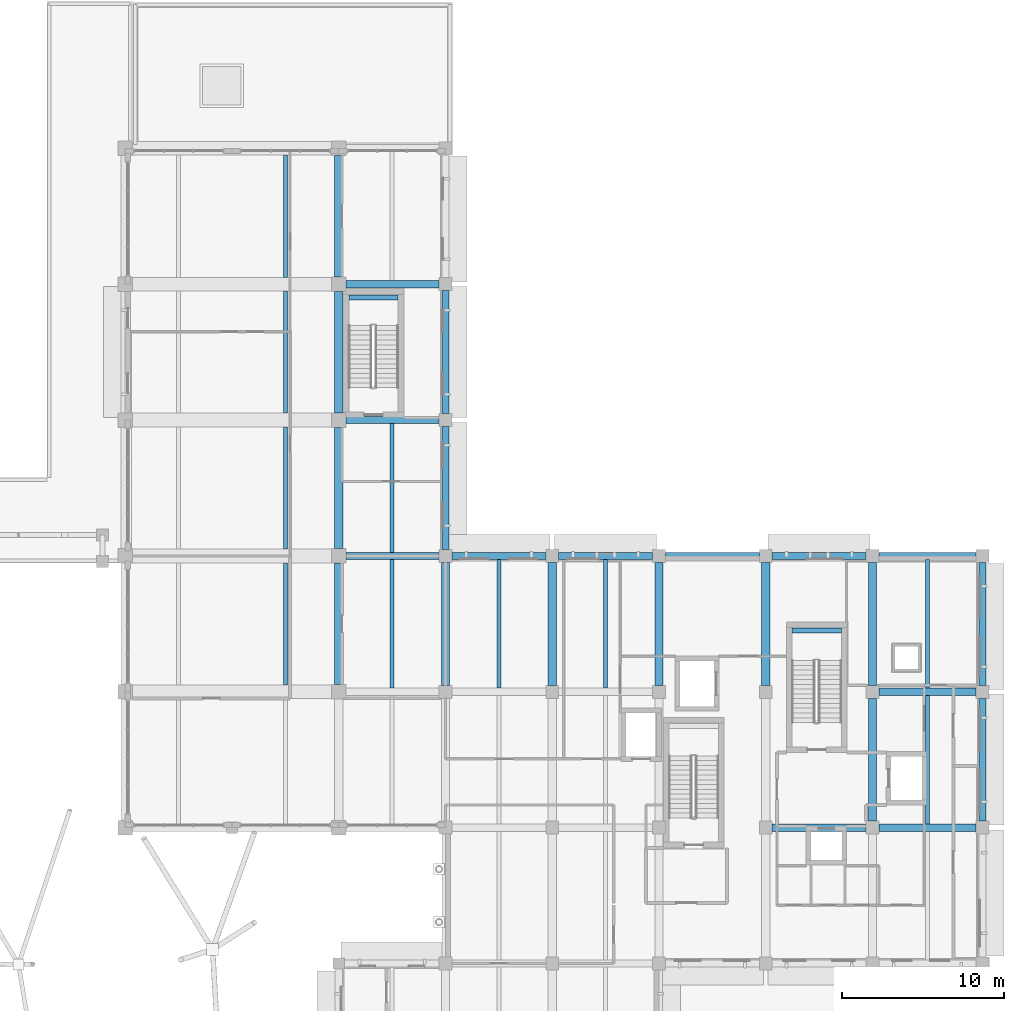
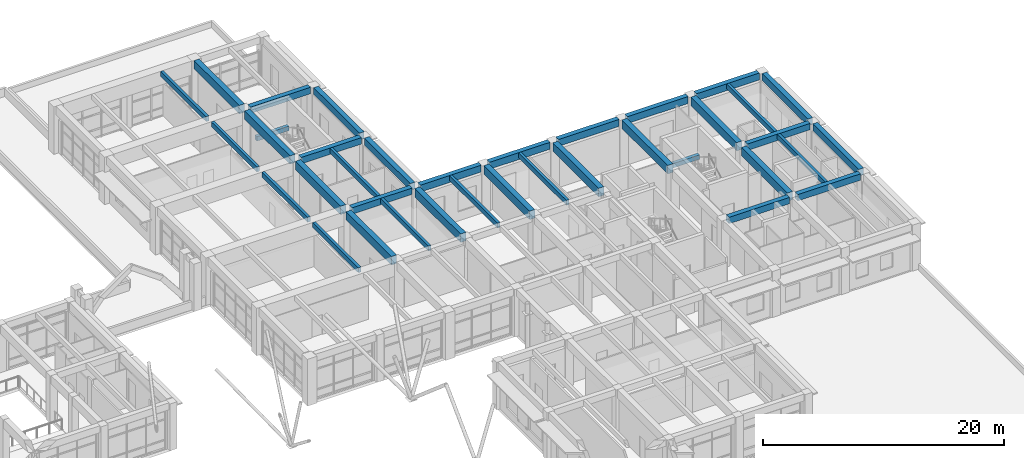
# One storey, part 29 of 75: 37 beams.
"""IFC4 building model written with IfcOpenShell, lengths in metres."""

import ifcopenshell
import ifcopenshell.guid

model = None  # the IFC model being written
_history = None  # IfcOwnerHistory: only IFC2X3 demands one
_inside = {}  # id of a spatial element -> (the spatial element, [elements in it])
_under = {}  # id of a project, library or spatial element -> (it, [spatial elements below it])
_declared = {}  # id of a project -> (the project, [libraries it declares])
_typed = {}  # id of a type object -> (the type object, [elements of that type])
_made_of = {}  # id of a material, layer set ... -> (it, [elements and type objects made of it])


def new_model(schema):
    """Start an empty IFC model of exactly this schema.

    Asked for "IFC4X3", IfcOpenShell would pick the latest addendum, in which some entities
    have other attributes; the version numbers below select the first issue.
    IFC2X3 requires an IfcOwnerHistory on every rooted entity: one is made here for all.
    """
    global model, _history
    if schema == "IFC4X3":
        model = ifcopenshell.file(schema_version=(4, 3, 0, 0))
    else:
        model = ifcopenshell.file(schema=schema)
    _inside.clear()
    _under.clear()
    _declared.clear()
    _typed.clear()
    _made_of.clear()
    _history = None
    if model.schema == "IFC2X3":
        org = make("IfcOrganization", Name="unknown")
        user = make(
            "IfcPersonAndOrganization",
            ThePerson=make("IfcPerson", FamilyName="unknown"),
            TheOrganization=org,
        )
        app = make(
            "IfcApplication",
            ApplicationDeveloper=org,
            Version="unknown",
            ApplicationFullName="unknown",
            ApplicationIdentifier="unknown",
        )
        _history = make(
            "IfcOwnerHistory",
            OwningUser=user,
            OwningApplication=app,
            ChangeAction="ADDED",
            CreationDate=0,
        )
    return model


def make(cls, **values):
    """One entity of the class cls with the attributes given. An attribute that is None is left unset."""
    return model.create_entity(
        cls, **{name: value for name, value in values.items() if value is not None}
    )


def rooted(cls, **values):
    """An entity with a GlobalId (a new one), such as an element, a storey or a relation."""
    return make(cls, GlobalId=ifcopenshell.guid.new(), OwnerHistory=_history, **values)


def si_unit(unit_type, name, prefix=None):
    """IfcSIUnit, for example si_unit("LENGTHUNIT", "METRE", prefix="MILLI")."""
    return make("IfcSIUnit", UnitType=unit_type, Prefix=prefix, Name=name)


def assignment(units):
    """IfcUnitAssignment: the units of a project."""
    return None if units is None else make("IfcUnitAssignment", Units=units)


def point(xyz):
    """IfcCartesianPoint."""
    return None if xyz is None else make("IfcCartesianPoint", Coordinates=xyz)


def direction(xyz):
    """IfcDirection."""
    return None if xyz is None else make("IfcDirection", DirectionRatios=xyz)


def frame(location, z_axis=None, x_axis=None):
    """IfcAxis2Placement3D, a coordinate frame: its origin and axes. An axis left out is left unset."""
    return make(
        "IfcAxis2Placement3D",
        Location=point(location),
        Axis=direction(z_axis),
        RefDirection=direction(x_axis),
    )


def frame_2d(location, x_axis=None):
    """IfcAxis2Placement2D, a coordinate frame in the plane: its origin and x axis."""
    return make(
        "IfcAxis2Placement2D", Location=point(location), RefDirection=direction(x_axis)
    )


def origin():
    """The frame at (0, 0, 0) with its axes left unset."""
    return frame((0.0, 0.0, 0.0))


def origin_2d():
    """The frame at (0, 0) in the plane with its x axis left unset."""
    return frame_2d((0.0, 0.0))


def place(relative_to, where):
    """IfcLocalPlacement: puts the frame where relative to a parent placement (None: the world)."""
    return make(
        "IfcLocalPlacement", PlacementRelTo=relative_to, RelativePlacement=where
    )


def context(
    kind, dimensions, precision=None, world=None, true_north=None, identifier=None
):
    """IfcGeometricRepresentationContext, for example the 3D "Model" context."""
    return make(
        "IfcGeometricRepresentationContext",
        ContextIdentifier=identifier,
        ContextType=kind,
        CoordinateSpaceDimension=dimensions,
        Precision=precision,
        WorldCoordinateSystem=world,
        TrueNorth=true_north,
    )


def subcontext(parent, identifier, kind, view, scale=None):
    """IfcGeometricRepresentationSubContext, for example "Body" below "Model"."""
    return make(
        "IfcGeometricRepresentationSubContext",
        ContextIdentifier=identifier,
        ContextType=kind,
        ParentContext=parent,
        TargetScale=scale,
        TargetView=view,
    )


def project(units=None, contexts=None):
    """IfcProject with its units and contexts."""
    return rooted(
        "IfcProject",
        Name="project",
        RepresentationContexts=contexts,
        UnitsInContext=assignment(units),
    )


def spatial(cls, under=None, at=None, **own):
    """A site, building, storey or space (cls), placed at a placement, below another one or the project."""
    s = rooted(cls, ObjectPlacement=at, **own)
    if under is not None:
        _under.setdefault(under.id(), (under, []))[1].append(s)
    return s


def profile(cls, at=None, kind="AREA", **sizes):
    """A parametric profile (cls). Its sizes go by their IFC names, for example OverallWidth=200.0."""
    return make(cls, ProfileType=kind, Position=at, **sizes)


def rectangle(**sizes):
    """IfcRectangleProfileDef."""
    return profile("IfcRectangleProfileDef", **sizes)


def extrude(swept, where, along, depth):
    """IfcExtrudedAreaSolid: the profile swept, set in the frame where, extruded along a direction by depth."""
    return make(
        "IfcExtrudedAreaSolid",
        SweptArea=swept,
        Position=where,
        ExtrudedDirection=direction(along),
        Depth=depth,
    )


def shape(context_of_items, identifier, shape_type, items):
    """IfcShapeRepresentation: the items that make up one representation, for example the "Body"."""
    return make(
        "IfcShapeRepresentation",
        ContextOfItems=context_of_items,
        RepresentationIdentifier=identifier,
        RepresentationType=shape_type,
        Items=items,
    )


def material(Name=None, Category=None):
    """IfcMaterial."""
    return make("IfcMaterial", Name=Name, Category=Category)


def material_profile(
    of_material, cross_section, Name=None, Category=None, Priority=None
):
    """IfcMaterialProfile: a cross section and its material."""
    return make(
        "IfcMaterialProfile",
        Name=Name,
        Material=of_material,
        Profile=cross_section,
        Priority=Priority,
        Category=Category,
    )


def profile_set(profiles, Name=None, composite=None):
    """IfcMaterialProfileSet."""
    return make(
        "IfcMaterialProfileSet",
        Name=Name,
        MaterialProfiles=profiles,
        CompositeProfile=composite,
    )


def made_of(thing, what):
    """Note that an element or type object is made of a material, layer set ...; save() writes the relation."""
    if what is not None:
        _made_of.setdefault(what.id(), (what, []))[1].append(thing)
    return thing


def type_object(cls, material=None, **own):
    """A type object (cls), such as IfcWallType, which elements share."""
    return made_of(rooted(cls, **own), material)


def element(
    cls,
    number,
    at=None,
    inside=None,
    cuts=None,
    type_object=None,
    material=None,
    context=None,
    identifier="Body",
    shape_type=None,
    held_by="IfcProductDefinitionShape",
    body=None,
    shapes=None,
    **own,
):
    """One element of the class cls, such as IfcWall. Its Tag is "e" and its number.

    at: its placement. inside: the storey or other place that contains it. cuts: it is an
    opening in that element (IfcRelVoidsElement). A single representation is given by context,
    identifier, shape_type and body (its items); several are given by shapes. held_by: the class
    of the entity that holds the representations. save() writes the other relations.
    """
    e = rooted(cls, Tag="e%d" % number, ObjectPlacement=at, **own)
    if body is not None:
        shapes = [shape(context, identifier, shape_type, body)]
    if shapes is not None:
        e.Representation = make(held_by, Representations=shapes)
    if inside is not None:
        _inside.setdefault(inside.id(), (inside, []))[1].append(e)
    if cuts is not None:
        rooted(
            "IfcRelVoidsElement", RelatingBuildingElement=cuts, RelatedOpeningElement=e
        )
    if type_object is not None:
        _typed.setdefault(type_object.id(), (type_object, []))[1].append(e)
    return made_of(e, material)


def aggregate(whole, parts):
    """IfcRelAggregates: a whole, such as a stair, and the parts it consists of."""
    return rooted("IfcRelAggregates", RelatingObject=whole, RelatedObjects=parts)


def save(model, path):
    """Write the relations noted so far, then the file.

    IfcRelAggregates (storeys below a building ...), IfcRelContainedInSpatialStructure (elements
    in a storey), IfcRelDefinesByType, IfcRelAssociatesMaterial and IfcRelDeclares: one each for
    every whole, place, type object, material and project.
    """
    for whole, parts in _under.values():
        aggregate(whole, parts)
    for where, things in _inside.values():
        rooted(
            "IfcRelContainedInSpatialStructure",
            RelatedElements=things,
            RelatingStructure=where,
        )
    for kind, things in _typed.values():
        rooted("IfcRelDefinesByType", RelatedObjects=things, RelatingType=kind)
    for what, things in _made_of.values():
        rooted("IfcRelAssociatesMaterial", RelatedObjects=things, RelatingMaterial=what)
    for by, libraries in _declared.values():
        rooted("IfcRelDeclares", RelatingContext=by, RelatedDefinitions=libraries)
    model.write(path)


model = new_model("IFC4")

# Units and contexts
model_context = context("Model", 3, precision=1e-05, world=origin(), true_north=direction((0.0, 1.0)))
body_context = subcontext(model_context, "Body", "Model", "MODEL_VIEW")
ifc_project = project(units=[si_unit("LENGTHUNIT", "METRE"), si_unit("AREAUNIT", "SQUARE_METRE"), si_unit("VOLUMEUNIT", "CUBIC_METRE"), si_unit("PLANEANGLEUNIT", "RADIAN"), si_unit("MASSUNIT", "GRAM", prefix="KILO")], contexts=[model_context])

# Site, building, storey
site_placement = place(None, origin())
site = spatial("IfcSite", under=ifc_project, at=site_placement, CompositionType="ELEMENT")
building_placement = place(site_placement, origin())
building = spatial("IfcBuilding", under=site, at=building_placement, Name="Kolvaren Faculty of Natural Sciences", CompositionType="ELEMENT")
storey_placement = place(building_placement, frame((0.0, 0.0, 5.39990234375)))
storey = spatial("IfcBuildingStorey", under=building, at=storey_placement, Name="L01", CompositionType="ELEMENT", Elevation=5.39990234375)

# Beams
ifc_material_1 = material(Name="Concrete C40/50", Category="concrete")
ifc_material_profile_1 = material_profile(ifc_material_1, rectangle(XDim=0.300048828125, YDim=0.449951171875, at=origin_2d()), Name="RC LNT 300x450")
ifc_profile_set_1 = profile_set([ifc_material_profile_1], Name="Concrete C40/50")
beam_type_1 = type_object("IfcBeamType", Name="CoreCouplingLintel_300x450", PredefinedType="LINTEL", material=ifc_profile_set_1)
beam_1_placement = place(storey_placement, frame((160.22509765625, 79.580078125, 1.97509765625), z_axis=(1.0, 0.0, 0.0), x_axis=(0.0, 1.0, 0.0)))
element("IfcBeam", 1, at=beam_1_placement, inside=storey, type_object=beam_type_1, Name="L01 ST-1 half-landing support lintel", PredefinedType="LINTEL", context=body_context, shape_type="SweptSolid", body=[
    extrude(rectangle(XDim=0.300048828125, YDim=0.449951171875, at=origin_2d()), origin(), (0.0, 0.0, 1.0), 3.0498046875),
])
beam_2_placement = place(storey_placement, frame((132.824951171875, 100.179931640625, 1.97509765625), z_axis=(1.0, 0.0, 0.0), x_axis=(0.0, 1.0, 0.0)))
element("IfcBeam", 2, at=beam_2_placement, inside=storey, type_object=beam_type_1, Name="L01 ST-7 half-landing support lintel", PredefinedType="LINTEL", context=body_context, shape_type="SweptSolid", body=[
    extrude(rectangle(XDim=0.300048828125, YDim=0.449951171875, at=origin_2d()), origin(), (0.0, 0.0, 1.0), 3.050048828125),
])
ifc_material_2 = material(Name="Concrete C35/45", Category="concrete")
ifc_material_profile_2 = material_profile(ifc_material_2, rectangle(XDim=0.449951171875, YDim=0.64990234375, at=origin_2d()), Name="RC BM 450x650")
ifc_profile_set_2 = profile_set([ifc_material_profile_2], Name="Concrete C35/45")
beam_type_2 = type_object("IfcBeamType", Name="GridBeam_450x650", PredefinedType="BEAM", material=ifc_profile_set_2)
beam_3_placement = place(storey_placement, frame((159.0, 67.39990234375, 4.47509765625), z_axis=(1.0, 0.0, 0.0), x_axis=(0.0, 1.0, 0.0)))
element("IfcBeam", 3, at=beam_3_placement, inside=storey, type_object=beam_type_2, Name="L01 beam BM-65 on grid J", PredefinedType="BEAM", context=body_context, shape_type="SweptSolid", body=[
    extrude(rectangle(XDim=0.449951171875, YDim=0.64990234375, at=origin_2d()), origin(), (0.0, 0.0, 1.0), 5.800048828125),
])
for number, where, z_axis, x_axis, name in (
    (4, (165.60009765625, 67.39990234375, 4.47509765625), (1.0, 0.0, 0.0), (0.0, 1.0, 0.0), "L01 beam BM-65 on grid J"),
    (5, (165.60009765625, 75.800048828125, 4.47509765625), (1.0, 0.0, 0.0), (0.0, 1.0, 0.0), "L01 beam BM-65 on grid K"),
):
    element("IfcBeam", number, at=place(storey_placement, frame(where, z_axis=z_axis, x_axis=x_axis)), inside=storey, type_object=beam_type_2, Name=name, PredefinedType="BEAM", context=body_context, shape_type="SweptSolid", body=[
        extrude(rectangle(XDim=0.449951171875, YDim=0.64990234375, at=origin_2d()), origin(), (0.0, 0.0, 1.0), 6.0),
    ])
for number, where, z_axis, x_axis, name in (
    (6, (132.64990234375, 84.199951171875, 4.47509765625), (1.0, 0.0, 0.0), (0.0, 1.0, 0.0), "L01 beam BM-65 on grid L"),
    (7, (132.64990234375, 92.60009765625, 4.47509765625), (1.0, 0.0, 0.0), (0.0, 1.0, 0.0), "L01 beam BM-65 on grid M"),
    (8, (132.64990234375, 101.0, 4.47509765625), (1.0, 0.0, 0.0), (0.0, 1.0, 0.0), "L01 beam BM-65 on grid N"),
):
    element("IfcBeam", number, at=place(storey_placement, frame(where, z_axis=z_axis, x_axis=x_axis)), inside=storey, type_object=beam_type_2, Name=name, PredefinedType="BEAM", context=body_context, shape_type="SweptSolid", body=[
        extrude(rectangle(XDim=0.449951171875, YDim=0.64990234375, at=origin_2d()), origin(), (0.0, 0.0, 1.0), 5.75),
    ])
ifc_material_profile_3 = material_profile(ifc_material_2, rectangle(XDim=0.260009765625, YDim=0.5, at=origin_2d()), Name="RC JST 260x500")
ifc_profile_set_3 = profile_set([ifc_material_profile_3], Name="Concrete C35/45")
beam_type_3 = type_object("IfcBeamType", Name="LabRibJoist_260x500", PredefinedType="JOIST", material=ifc_profile_set_3)
beam_4_placement = place(storey_placement, frame((128.89990234375, 76.22509765625, 4.550048828125), z_axis=(0.0, 1.0, 0.0), x_axis=(-1.0, 0.0, 0.0)))
element("IfcBeam", 9, at=beam_4_placement, inside=storey, type_object=beam_type_3, Name="L01 ribbed laboratory slab joist JS-50", PredefinedType="JOIST", context=body_context, shape_type="SweptSolid", body=[
    extrude(rectangle(XDim=0.260009765625, YDim=0.5, at=origin_2d()), origin(), (0.0, 0.0, 1.0), 7.5498046875),
])
for number, where, z_axis, x_axis, name in (
    (10, (128.89990234375, 84.625, 4.550048828125), (0.0, 1.0, 0.0), (-1.0, 0.0, 0.0), "L01 ribbed laboratory slab joist JS-50"),
    (11, (128.89990234375, 93.02490234375, 4.550048828125), (0.0, 1.0, 0.0), (-1.0, 0.0, 0.0), "L01 ribbed laboratory slab joist JS-50"),
    (12, (128.89990234375, 101.425048828125, 4.550048828125), (0.0, 1.0, 0.0), (-1.0, 0.0, 0.0), "L01 ribbed laboratory slab joist JS-50"),
):
    element("IfcBeam", number, at=place(storey_placement, frame(where, z_axis=z_axis, x_axis=x_axis)), inside=storey, type_object=beam_type_3, Name=name, PredefinedType="JOIST", context=body_context, shape_type="SweptSolid", body=[
        extrude(rectangle(XDim=0.260009765625, YDim=0.5, at=origin_2d()), origin(), (0.0, 0.0, 1.0), 7.550048828125),
    ])
beam_5_placement = place(storey_placement, frame((135.5, 76.02490234375, 4.550048828125), z_axis=(0.0, 1.0, 0.0), x_axis=(-1.0, 0.0, 0.0)))
element("IfcBeam", 13, at=beam_5_placement, inside=storey, type_object=beam_type_3, Name="L01 ribbed laboratory slab joist JS-50", PredefinedType="JOIST", context=body_context, shape_type="SweptSolid", body=[
    extrude(rectangle(XDim=0.260009765625, YDim=0.5, at=origin_2d()), origin(), (0.0, 0.0, 1.0), 7.9501953125),
])
beam_6_placement = place(storey_placement, frame((135.5, 84.425048828125, 4.550048828125), z_axis=(0.0, 1.0, 0.0), x_axis=(-1.0, 0.0, 0.0)))
element("IfcBeam", 14, at=beam_6_placement, inside=storey, type_object=beam_type_3, Name="L01 ribbed laboratory slab joist JS-50", PredefinedType="JOIST", context=body_context, shape_type="SweptSolid", body=[
    extrude(rectangle(XDim=0.260009765625, YDim=0.5, at=origin_2d()), origin(), (0.0, 0.0, 1.0), 7.949951171875),
])
for number, where, z_axis, x_axis, name in (
    (15, (142.10009765625, 76.02490234375, 4.550048828125), (0.0, 1.0, 0.0), (-1.0, 0.0, 0.0), "L01 ribbed laboratory slab joist JS-50"),
    (16, (148.699951171875, 76.02490234375, 4.550048828125), (0.0, 1.0, 0.0), (-1.0, 0.0, 0.0), "L01 ribbed laboratory slab joist JS-50"),
):
    element("IfcBeam", number, at=place(storey_placement, frame(where, z_axis=z_axis, x_axis=x_axis)), inside=storey, type_object=beam_type_3, Name=name, PredefinedType="JOIST", context=body_context, shape_type="SweptSolid", body=[
        extrude(rectangle(XDim=0.260009765625, YDim=0.5, at=origin_2d()), origin(), (0.0, 0.0, 1.0), 7.9501953125),
    ])
beam_7_placement = place(storey_placement, frame((168.60009765625, 67.625, 4.550048828125), z_axis=(0.0, 1.0, 0.0), x_axis=(-1.0, 0.0, 0.0)))
element("IfcBeam", 17, at=beam_7_placement, inside=storey, type_object=beam_type_3, Name="L01 ribbed laboratory slab joist JS-50", PredefinedType="JOIST", context=body_context, shape_type="SweptSolid", body=[
    extrude(rectangle(XDim=0.260009765625, YDim=0.5, at=origin_2d()), origin(), (0.0, 0.0, 1.0), 7.949951171875),
])
beam_8_placement = place(storey_placement, frame((168.60009765625, 76.02490234375, 4.550048828125), z_axis=(0.0, 1.0, 0.0), x_axis=(-1.0, 0.0, 0.0)))
element("IfcBeam", 18, at=beam_8_placement, inside=storey, type_object=beam_type_3, Name="L01 ribbed laboratory slab joist JS-50", PredefinedType="JOIST", context=body_context, shape_type="SweptSolid", body=[
    extrude(rectangle(XDim=0.260009765625, YDim=0.5, at=origin_2d()), origin(), (0.0, 0.0, 1.0), 7.9501953125),
])
ifc_material_profile_4 = material_profile(ifc_material_2, rectangle(XDim=0.449951171875, YDim=0.699951171875, at=origin_2d()), Name="RC SP 450x700")
ifc_profile_set_4 = profile_set([ifc_material_profile_4], Name="Concrete C35/45")
beam_type_4 = type_object("IfcBeamType", Name="PerimeterSpandrel_450x700", PredefinedType="SPANDREL", material=ifc_profile_set_4)
for number, where, z_axis, x_axis, name in (
    (19, (139.199951171875, 84.199951171875, 4.4501953125), (1.0, 0.0, 0.0), (0.0, 1.0, 0.0), "L01 spandrel SP-70 on grid L"),
    (20, (145.800048828125, 84.199951171875, 4.4501953125), (1.0, 0.0, 0.0), (0.0, 1.0, 0.0), "L01 spandrel SP-70 on grid L"),
    (21, (152.39990234375, 84.199951171875, 4.4501953125), (1.0, 0.0, 0.0), (0.0, 1.0, 0.0), "L01 spandrel SP-70 on grid L"),
    (22, (159.0, 84.199951171875, 4.4501953125), (1.0, 0.0, 0.0), (0.0, 1.0, 0.0), "L01 spandrel SP-70 on grid L"),
):
    element("IfcBeam", number, at=place(storey_placement, frame(where, z_axis=z_axis, x_axis=x_axis)), inside=storey, type_object=beam_type_4, Name=name, PredefinedType="SPANDREL", context=body_context, shape_type="SweptSolid", body=[
        extrude(rectangle(XDim=0.449951171875, YDim=0.699951171875, at=origin_2d()), origin(), (0.0, 0.0, 1.0), 5.800048828125),
    ])
beam_9_placement = place(storey_placement, frame((165.60009765625, 84.199951171875, 4.4501953125), z_axis=(1.0, 0.0, 0.0), x_axis=(0.0, 1.0, 0.0)))
element("IfcBeam", 23, at=beam_9_placement, inside=storey, type_object=beam_type_4, Name="L01 spandrel SP-70 on grid L", PredefinedType="SPANDREL", context=body_context, shape_type="SweptSolid", body=[
    extrude(rectangle(XDim=0.449951171875, YDim=0.699951171875, at=origin_2d()), origin(), (0.0, 0.0, 1.0), 6.0),
])
beam_10_placement = place(storey_placement, frame((138.800048828125, 84.60009765625, 4.4501953125), z_axis=(0.0, 1.0, 0.0), x_axis=(-1.0, 0.0, 0.0)))
element("IfcBeam", 24, at=beam_10_placement, inside=storey, type_object=beam_type_4, Name="L01 girder SP-70 on grid 22", PredefinedType="SPANDREL", context=body_context, shape_type="SweptSolid", body=[
    extrude(rectangle(XDim=0.449951171875, YDim=0.699951171875, at=origin_2d()), origin(), (0.0, 0.0, 1.0), 7.599853515625),
])
beam_11_placement = place(storey_placement, frame((138.800048828125, 93.0, 4.4501953125), z_axis=(0.0, 1.0, 0.0), x_axis=(-1.0, 0.0, 0.0)))
element("IfcBeam", 25, at=beam_11_placement, inside=storey, type_object=beam_type_4, Name="L01 girder SP-70 on grid 22", PredefinedType="SPANDREL", context=body_context, shape_type="SweptSolid", body=[
    extrude(rectangle(XDim=0.449951171875, YDim=0.699951171875, at=origin_2d()), origin(), (0.0, 0.0, 1.0), 7.60009765625),
])
beam_12_placement = place(storey_placement, frame((172.0, 67.800048828125, 4.4501953125), z_axis=(0.0, 1.0, 0.0), x_axis=(-1.0, 0.0, 0.0)))
element("IfcBeam", 26, at=beam_12_placement, inside=storey, type_object=beam_type_4, Name="L01 girder SP-70 on grid 27", PredefinedType="SPANDREL", context=body_context, shape_type="SweptSolid", body=[
    extrude(rectangle(XDim=0.449951171875, YDim=0.699951171875, at=origin_2d()), origin(), (0.0, 0.0, 1.0), 7.599853515625),
])
beam_13_placement = place(storey_placement, frame((172.0, 76.199951171875, 4.4501953125), z_axis=(0.0, 1.0, 0.0), x_axis=(-1.0, 0.0, 0.0)))
element("IfcBeam", 27, at=beam_13_placement, inside=storey, type_object=beam_type_4, Name="L01 girder SP-70 on grid 27", PredefinedType="SPANDREL", context=body_context, shape_type="SweptSolid", body=[
    extrude(rectangle(XDim=0.449951171875, YDim=0.699951171875, at=origin_2d()), origin(), (0.0, 0.0, 1.0), 7.60009765625),
])
ifc_material_profile_5 = material_profile(ifc_material_2, rectangle(XDim=0.5, YDim=0.85009765625, at=origin_2d()), Name="RC BM 500x850")
ifc_profile_set_5 = profile_set([ifc_material_profile_5], Name="Concrete C35/45")
beam_type_5 = type_object("IfcBeamType", Name="PrimaryGirder_500x850", PredefinedType="BEAM", material=ifc_profile_set_5)
for number, where, z_axis, x_axis, name in (
    (28, (132.199951171875, 76.25, 4.375), (0.0, 1.0, 0.0), (-1.0, 0.0, 0.0), "L01 girder BG-85 on grid 21"),
    (29, (132.199951171875, 84.64990234375, 4.375), (0.0, 1.0, 0.0), (-1.0, 0.0, 0.0), "L01 girder BG-85 on grid 21"),
    (30, (132.199951171875, 93.050048828125, 4.375), (0.0, 1.0, 0.0), (-1.0, 0.0, 0.0), "L01 girder BG-85 on grid 21"),
    (31, (132.199951171875, 101.449951171875, 4.375), (0.0, 1.0, 0.0), (-1.0, 0.0, 0.0), "L01 girder BG-85 on grid 21"),
):
    element("IfcBeam", number, at=place(storey_placement, frame(where, z_axis=z_axis, x_axis=x_axis)), inside=storey, type_object=beam_type_5, Name=name, PredefinedType="BEAM", context=body_context, shape_type="SweptSolid", body=[
        extrude(rectangle(XDim=0.5, YDim=0.85009765625, at=origin_2d()), origin(), (0.0, 0.0, 1.0), 7.5),
    ])
for number, where, z_axis, x_axis, name in (
    (32, (138.800048828125, 76.199951171875, 4.375), (0.0, 1.0, 0.0), (-1.0, 0.0, 0.0), "L01 girder BG-85 on grid 22"),
    (33, (145.39990234375, 76.199951171875, 4.375), (0.0, 1.0, 0.0), (-1.0, 0.0, 0.0), "L01 girder BG-85 on grid 23"),
    (34, (152.0, 76.199951171875, 4.375), (0.0, 1.0, 0.0), (-1.0, 0.0, 0.0), "L01 girder BG-85 on grid 24"),
    (35, (158.60009765625, 76.199951171875, 4.375), (0.0, 1.0, 0.0), (-1.0, 0.0, 0.0), "L01 girder BG-85 on grid 25"),
):
    element("IfcBeam", number, at=place(storey_placement, frame(where, z_axis=z_axis, x_axis=x_axis)), inside=storey, type_object=beam_type_5, Name=name, PredefinedType="BEAM", context=body_context, shape_type="SweptSolid", body=[
        extrude(rectangle(XDim=0.5, YDim=0.85009765625, at=origin_2d()), origin(), (0.0, 0.0, 1.0), 7.60009765625),
    ])
beam_14_placement = place(storey_placement, frame((165.199951171875, 67.800048828125, 4.375), z_axis=(0.0, 1.0, 0.0), x_axis=(-1.0, 0.0, 0.0)))
element("IfcBeam", 36, at=beam_14_placement, inside=storey, type_object=beam_type_5, Name="L01 girder BG-85 on grid 26", PredefinedType="BEAM", context=body_context, shape_type="SweptSolid", body=[
    extrude(rectangle(XDim=0.5, YDim=0.85009765625, at=origin_2d()), origin(), (0.0, 0.0, 1.0), 7.599853515625),
])
beam_15_placement = place(storey_placement, frame((165.199951171875, 76.199951171875, 4.375), z_axis=(0.0, 1.0, 0.0), x_axis=(-1.0, 0.0, 0.0)))
element("IfcBeam", 37, at=beam_15_placement, inside=storey, type_object=beam_type_5, Name="L01 girder BG-85 on grid 26", PredefinedType="BEAM", context=body_context, shape_type="SweptSolid", body=[
    extrude(rectangle(XDim=0.5, YDim=0.85009765625, at=origin_2d()), origin(), (0.0, 0.0, 1.0), 7.60009765625),
])

save(model, "model.ifc")
